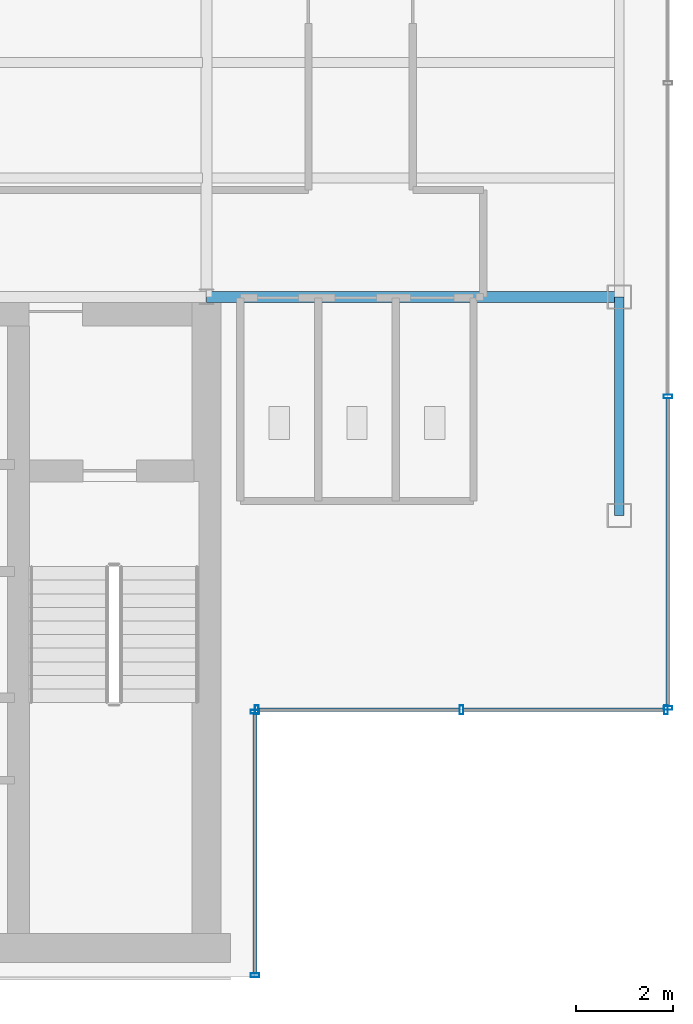
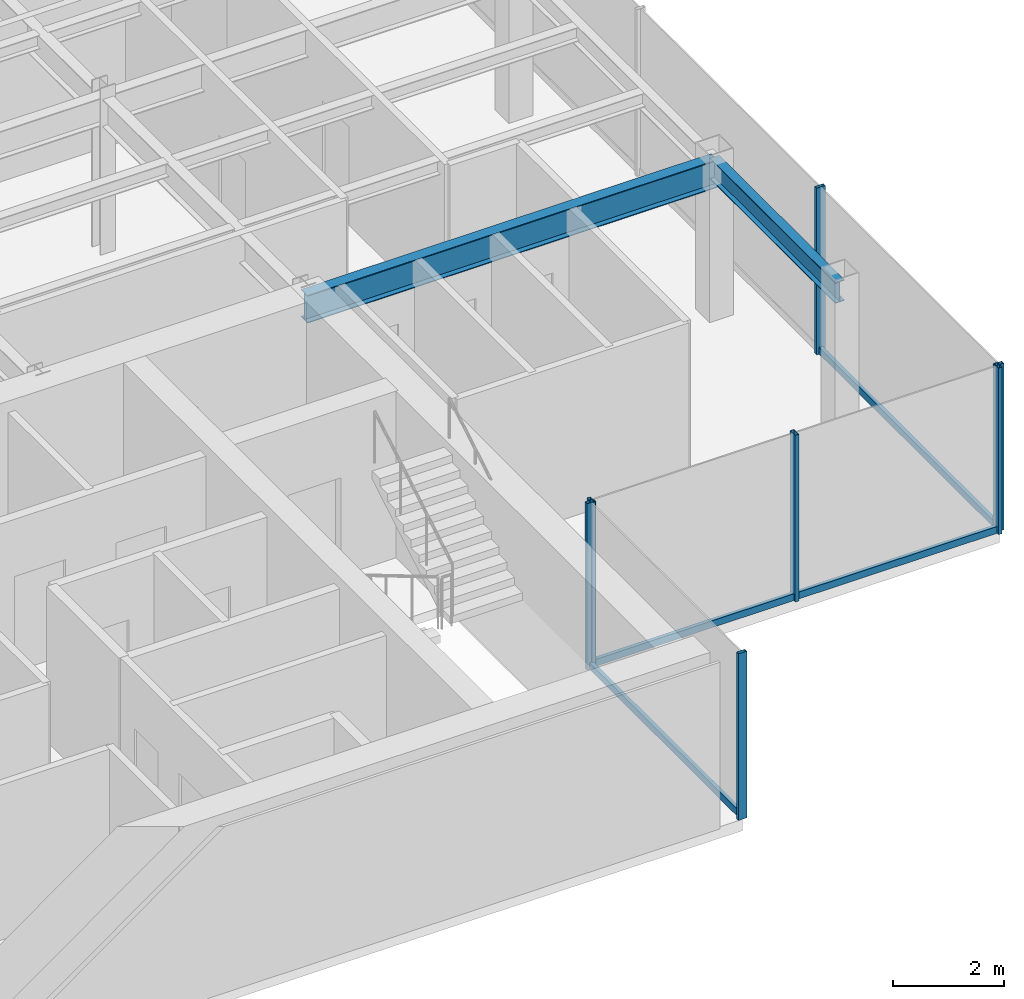
# One storey, part 9 of 22: 11 members, 2 beams, 3 elements without a shape of their own.
"""IFC4 building model written with IfcOpenShell, lengths in metres."""

from ifc_helpers import new_model, si_unit, derived_unit, direction, frame, origin, origin_2d, place, context, subcontext, project, spatial, hollow_rectangle, i_section, extrude, source, transform, mapped, material, material_profile, profile_set, type_object, element, aggregate, save


model = new_model("IFC4")

# Units and contexts
model_context = context("Model", 3, precision=1e-05, world=origin(), true_north=direction((0.0, 1.0)))
body_context = subcontext(model_context, "Body", "Model", "MODEL_VIEW")
ifc_project = project(units=[si_unit("LENGTHUNIT", "METRE"), si_unit("AREAUNIT", "SQUARE_METRE"), si_unit("VOLUMEUNIT", "CUBIC_METRE"), si_unit("PLANEANGLEUNIT", "RADIAN"), si_unit("MASSUNIT", "GRAM", prefix="KILO"), derived_unit("THERMALTRANSMITTANCEUNIT", [(si_unit("POWERUNIT", "WATT"), 1), (si_unit("LENGTHUNIT", "METRE"), -2), (si_unit("THERMODYNAMICTEMPERATUREUNIT", "KELVIN"), -1)])], contexts=[model_context])

# Site, building, storey
site_placement = place(None, origin())
site = spatial("IfcSite", under=ifc_project, at=site_placement, CompositionType="ELEMENT")
building_placement = place(site_placement, origin())
building = spatial("IfcBuilding", under=site, at=building_placement, Name="Skarnbrae Concourse Arena and Tower", CompositionType="ELEMENT")
storey_placement = place(building_placement, frame((0.0, 0.0, 244.199951171875)))
storey = spatial("IfcBuildingStorey", under=building, at=storey_placement, Name="L63", CompositionType="ELEMENT", Elevation=244.199951171875)

# Beams
ifc_material_1 = material(Name="Steel CSA G40.21 350W", Category="steel")
ifc_material_profile_1 = material_profile(ifc_material_1, i_section(OverallWidth=0.22802734375, OverallDepth=0.60791015625, WebThickness=0.01123046875, FlangeThickness=0.017333984375, at=origin_2d()), Name="W610X113")
ifc_profile_set_1 = profile_set([ifc_material_profile_1], Name="Steel CSA G40.21 350W")
beam_type_1 = type_object("IfcBeamType", Name="BM-GIRD-W610X113", PredefinedType="BEAM", material=ifc_profile_set_1)
shared_shape_1 = source(origin(), body_context, "Body", "SweptSolid", [
    extrude(i_section(OverallWidth=0.22802734375, OverallDepth=0.60791015625, WebThickness=0.01123046875, FlangeThickness=0.017333984375, at=origin_2d()), origin(), (0.0, 0.0, 1.0), 8.5),
])
beam_1_placement = place(storey_placement, frame((33.5, 14.0, 3.095947265625), z_axis=(1.0, 0.0, 0.0), x_axis=(0.0, 1.0, 0.0)))
element("IfcBeam", 1, at=beam_1_placement, inside=storey, type_object=beam_type_1, Name="L63 Primary E-W girder Y14.0-6", PredefinedType="BEAM", context=body_context, shape_type="MappedRepresentation", body=[
    mapped(shared_shape_1, transform((0.0, 0.0, 0.0))),
])
ifc_material_profile_2 = material_profile(ifc_material_1, i_section(OverallWidth=0.19091796875, OverallDepth=0.4599609375, WebThickness=0.010009765625, FlangeThickness=0.01611328125, at=origin_2d()), Name="W460X82")
ifc_profile_set_2 = profile_set([ifc_material_profile_2], Name="Steel CSA G40.21 350W")
beam_type_2 = type_object("IfcBeamType", Name="BM-SPAN-W460X82", PredefinedType="SPANDREL", material=ifc_profile_set_2)
shared_shape_2 = source(origin(), body_context, "Body", "SweptSolid", [
    extrude(i_section(OverallWidth=0.19091796875, OverallDepth=0.4599609375, WebThickness=0.010009765625, FlangeThickness=0.01611328125, at=origin_2d()), origin(), (0.0, 0.0, 1.0), 4.5),
])
beam_2_placement = place(storey_placement, frame((42.0, 9.5, 3.170166015625), z_axis=(0.0, 1.0, 0.0), x_axis=(-1.0, 0.0, 0.0)))
element("IfcBeam", 2, at=beam_2_placement, inside=storey, type_object=beam_type_2, Name="L63 Perimeter spandrel X42.0-1", PredefinedType="SPANDREL", context=body_context, shape_type="MappedRepresentation", body=[
    mapped(shared_shape_2, transform((0.0, 0.0, 0.0))),
])

# Curtain wall, member
ifc_material_2 = material(Name="Bronze anodised aluminium 6063-T6", Category="aluminium")
curtain_wall_type = type_object("IfcCurtainWallType", Name="CW-SYS-05-HIGHZONE", PredefinedType="USERDEFINED", material=ifc_material_2)
curtain_wall_1_placement = place(storey_placement, origin())
curtain_wall_1 = element("IfcCurtainWall", 3, at=curtain_wall_1_placement, inside=storey, type_object=curtain_wall_type, Name="L63 Unitised curtain wall CW-L63-E02", ObjectType="UNITISED CURTAIN WALL", PredefinedType="USERDEFINED")
ifc_material_profile_3 = material_profile(ifc_material_2, hollow_rectangle(XDim=0.074951171875, YDim=0.14990234375, WallThickness=0.00390625, at=origin_2d()), Name="ALU-TRAN-75X150")
ifc_profile_set_3 = profile_set([ifc_material_profile_3], Name="Bronze anodised aluminium 6063-T6")
member_type_1 = type_object("IfcMemberType", Name="CWT-CW-05", PredefinedType="USERDEFINED", material=ifc_profile_set_3)
shared_shape_3 = source(origin(), body_context, "Body", "SweptSolid", [
    extrude(hollow_rectangle(XDim=0.074951171875, YDim=0.14990234375, WallThickness=0.00390625, at=origin_2d()), origin(), (0.0, 0.0, 1.0), 5.35009765625),
])
member_1_placement = place(storey_placement, frame((34.5, 0.074951171875, 0.074951171875), z_axis=(0.0, 1.0, 0.0), x_axis=(-1.0, 0.0, 0.0)))
member_1 = element("IfcMember", 4, at=member_1_placement, type_object=member_type_1, Name="CW-L63-E02 Transom 1", ObjectType="TRANSOM", PredefinedType="USERDEFINED", context=body_context, shape_type="MappedRepresentation", body=[
    mapped(shared_shape_3, transform((0.0, 0.0, 0.0))),
])

# Curtain wall, members
curtain_wall_2_placement = place(storey_placement, origin())
curtain_wall_2 = element("IfcCurtainWall", 5, at=curtain_wall_2_placement, inside=storey, type_object=curtain_wall_type, Name="L63 Unitised curtain wall CW-L63-E03", ObjectType="UNITISED CURTAIN WALL", PredefinedType="USERDEFINED")
shared_shape_4 = source(origin(), body_context, "Body", "SweptSolid", [
    extrude(hollow_rectangle(XDim=0.074951171875, YDim=0.14990234375, WallThickness=0.00390625, at=origin_2d()), origin(), (0.0, 0.0, 1.0), 4.137451171875),
])
member_2_placement = place(storey_placement, frame((34.574951171875, 5.5, 0.074951171875), z_axis=(1.0, 0.0, 0.0), x_axis=(0.0, 1.0, 0.0)))
member_2 = element("IfcMember", 6, at=member_2_placement, type_object=member_type_1, Name="CW-L63-E03 Transom 1", ObjectType="TRANSOM", PredefinedType="USERDEFINED", context=body_context, shape_type="MappedRepresentation", body=[
    mapped(shared_shape_4, transform((0.0, 0.0, 0.0))),
])
member_3_placement = place(storey_placement, frame((38.78759765625, 5.5, 0.074951171875), z_axis=(1.0, 0.0, 0.0), x_axis=(0.0, 1.0, 0.0)))
member_3 = element("IfcMember", 7, at=member_3_placement, type_object=member_type_1, Name="CW-L63-E03 Transom 2", ObjectType="TRANSOM", PredefinedType="USERDEFINED", context=body_context, shape_type="MappedRepresentation", body=[
    mapped(shared_shape_4, transform((0.0, 0.0, 0.0))),
])

# Curtain wall, member
curtain_wall_3_placement = place(storey_placement, origin())
curtain_wall_3 = element("IfcCurtainWall", 8, at=curtain_wall_3_placement, inside=storey, type_object=curtain_wall_type, Name="L63 Unitised curtain wall CW-L63-E04", ObjectType="UNITISED CURTAIN WALL", PredefinedType="USERDEFINED")
shared_shape_5 = source(origin(), body_context, "Body", "SweptSolid", [
    extrude(hollow_rectangle(XDim=0.074951171875, YDim=0.14990234375, WallThickness=0.00390625, at=origin_2d()), origin(), (0.0, 0.0, 1.0), 6.337646484375),
])
member_4_placement = place(storey_placement, frame((43.0, 5.574951171875, 0.074951171875), z_axis=(0.0, 1.0, 0.0), x_axis=(-1.0, 0.0, 0.0)))
member_4 = element("IfcMember", 9, at=member_4_placement, type_object=member_type_1, Name="CW-L63-E04 Transom 1", ObjectType="TRANSOM", PredefinedType="USERDEFINED", context=body_context, shape_type="MappedRepresentation", body=[
    mapped(shared_shape_5, transform((0.0, 0.0, 0.0))),
])

# Member
ifc_material_profile_4 = material_profile(ifc_material_2, hollow_rectangle(XDim=0.074951171875, YDim=0.179931640625, WallThickness=0.00390625, at=origin_2d()), Name="ALU-MULL-75X180")
ifc_profile_set_4 = profile_set([ifc_material_profile_4], Name="Bronze anodised aluminium 6063-T6")
member_type_2 = type_object("IfcMemberType", Name="CWM-CW-05", PredefinedType="MULLION", material=ifc_profile_set_4)
shared_shape_6 = source(origin(), body_context, "Body", "SweptSolid", [
    extrude(hollow_rectangle(XDim=0.074951171875, YDim=0.179931640625, WallThickness=0.00390625, at=origin_2d()), origin(), (0.0, 0.0, 1.0), 3.650146484375),
])
member_5_placement = place(storey_placement, frame((34.5, 0.03759765625, 0.0), z_axis=(0.0, 0.0, 1.0), x_axis=(0.0, 1.0, 0.0)))
member_5 = element("IfcMember", 10, at=member_5_placement, type_object=member_type_2, Name="CW-L63-E02 Mullion 1", PredefinedType="MULLION", context=body_context, shape_type="MappedRepresentation", body=[
    mapped(shared_shape_6, transform((0.0, 0.0, 0.0))),
])

member_6_placement = place(storey_placement, frame((34.5, 5.46240234375, 0.0), z_axis=(0.0, 0.0, 1.0), x_axis=(0.0, 1.0, 0.0)))
member_6 = element("IfcMember", 11, at=member_6_placement, type_object=member_type_2, Name="CW-L63-E02 Mullion 2", PredefinedType="MULLION", context=body_context, shape_type="MappedRepresentation", body=[
    mapped(shared_shape_6, transform((0.0, 0.0, 0.0))),
])

aggregate(curtain_wall_1, [member_5, member_6, member_1])

member_7_placement = place(storey_placement, frame((34.53759765625, 5.5, 0.0), z_axis=(0.0, 0.0, 1.0), x_axis=(1.0, 0.0, 0.0)))
member_7 = element("IfcMember", 12, at=member_7_placement, type_object=member_type_2, Name="CW-L63-E03 Mullion 1", PredefinedType="MULLION", context=body_context, shape_type="MappedRepresentation", body=[
    mapped(shared_shape_6, transform((0.0, 0.0, 0.0))),
])

member_8_placement = place(storey_placement, frame((38.75, 5.5, 0.0), z_axis=(0.0, 0.0, 1.0), x_axis=(1.0, 0.0, 0.0)))
member_8 = element("IfcMember", 13, at=member_8_placement, type_object=member_type_2, Name="CW-L63-E03 Mullion 2", PredefinedType="MULLION", context=body_context, shape_type="MappedRepresentation", body=[
    mapped(shared_shape_6, transform((0.0, 0.0, 0.0))),
])

member_9_placement = place(storey_placement, frame((42.96240234375, 5.5, 0.0), z_axis=(0.0, 0.0, 1.0), x_axis=(1.0, 0.0, 0.0)))
member_9 = element("IfcMember", 14, at=member_9_placement, type_object=member_type_2, Name="CW-L63-E03 Mullion 3", PredefinedType="MULLION", context=body_context, shape_type="MappedRepresentation", body=[
    mapped(shared_shape_6, transform((0.0, 0.0, 0.0))),
])

aggregate(curtain_wall_2, [member_7, member_8, member_9, member_2, member_3])

member_10_placement = place(storey_placement, frame((43.0, 5.53759765625, 0.0), z_axis=(0.0, 0.0, 1.0), x_axis=(0.0, 1.0, 0.0)))
member_10 = element("IfcMember", 15, at=member_10_placement, type_object=member_type_2, Name="CW-L63-E04 Mullion 1", PredefinedType="MULLION", context=body_context, shape_type="MappedRepresentation", body=[
    mapped(shared_shape_6, transform((0.0, 0.0, 0.0))),
])

member_11_placement = place(storey_placement, frame((43.0, 11.949951171875, 0.0), z_axis=(0.0, 0.0, 1.0), x_axis=(0.0, 1.0, 0.0)))
member_11 = element("IfcMember", 16, at=member_11_placement, type_object=member_type_2, Name="CW-L63-E04 Mullion 2", PredefinedType="MULLION", context=body_context, shape_type="MappedRepresentation", body=[
    mapped(shared_shape_6, transform((0.0, 0.0, 0.0))),
])

aggregate(curtain_wall_3, [member_10, member_11, member_4])

save(model, "model.ifc")
